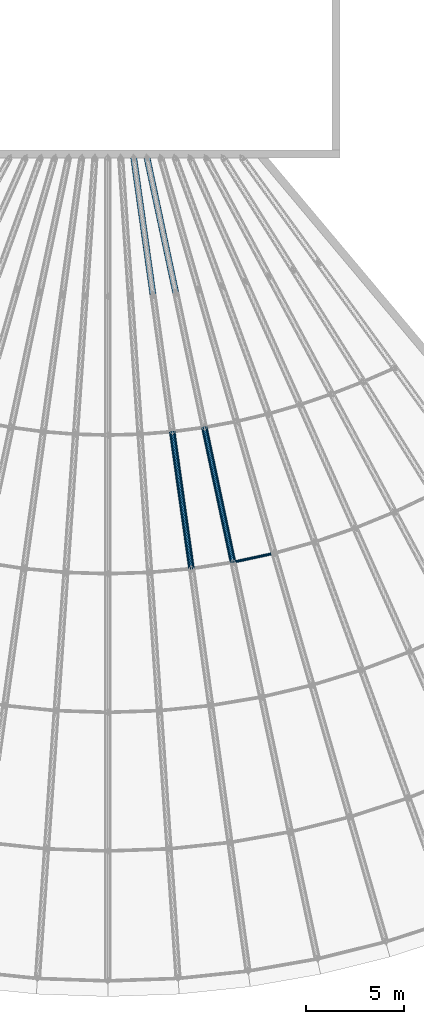
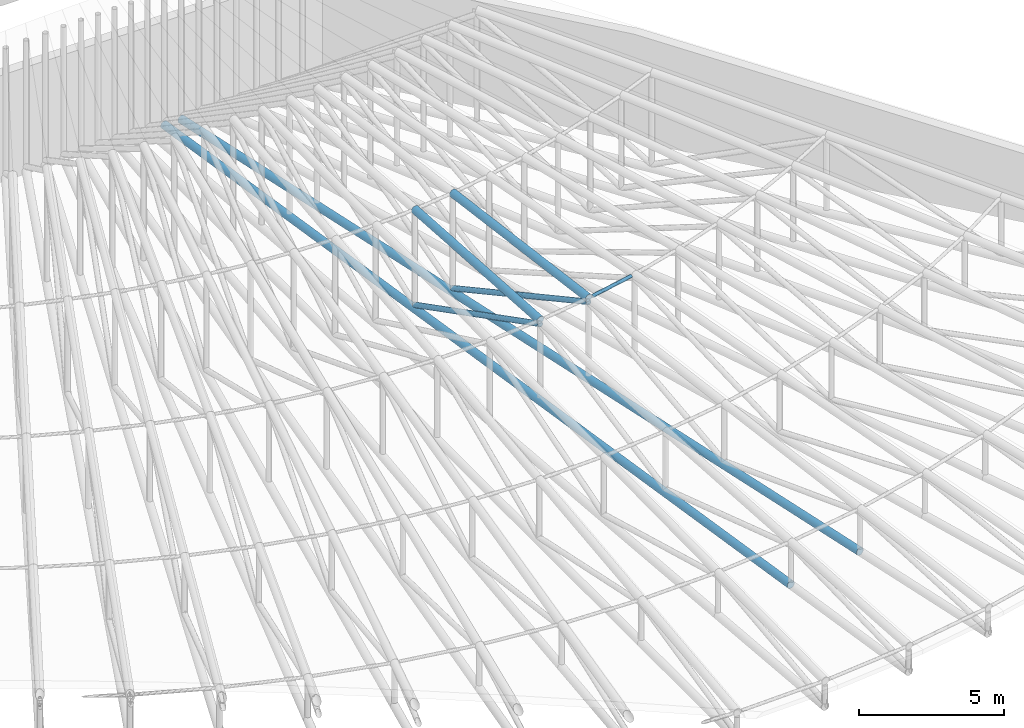
# One storey, part 36 of 163: 7 members.
"""IFC4 building model written with IfcOpenShell, lengths in metres."""

from ifc_helpers import new_model, si_unit, direction, frame, origin, origin_2d, place, context, subcontext, project, spatial, hollow_circle, extrude, material, material_profile, profile_set, type_object, element, save


model = new_model("IFC4")

# Units and contexts
model_context = context("Model", 3, precision=1e-05, world=origin(), true_north=direction((0.0, 1.0)))
body_context = subcontext(model_context, "Body", "Model", "MODEL_VIEW")
ifc_project = project(units=[si_unit("LENGTHUNIT", "METRE"), si_unit("AREAUNIT", "SQUARE_METRE"), si_unit("VOLUMEUNIT", "CUBIC_METRE"), si_unit("PLANEANGLEUNIT", "RADIAN"), si_unit("MASSUNIT", "GRAM", prefix="KILO")], contexts=[model_context])

# Site, building, storey
site_placement = place(None, origin())
site = spatial("IfcSite", under=ifc_project, at=site_placement, CompositionType="ELEMENT")
building_placement = place(site_placement, origin())
building = spatial("IfcBuilding", under=site, at=building_placement, Name="Rain Tree Exposition and Congress Centre", CompositionType="ELEMENT")
storey_placement = place(building_placement, frame((0.0, 0.0, 10.5)))
storey = spatial("IfcBuildingStorey", under=building, at=storey_placement, Name="L02", CompositionType="ELEMENT", Elevation=10.5)

# Members
ifc_material_1 = material(Name="Steel S355J2H", Category="steel")
ifc_material_profile_1 = material_profile(ifc_material_1, hollow_circle(Radius=0.108154296875, WallThickness=0.008056640625, at=origin_2d()), Name="CHS 216x8")
ifc_profile_set_1 = profile_set([ifc_material_profile_1], Name="Steel S355J2H")
member_type_1 = type_object("IfcMemberType", Name="Steel brace member CHS 216x8", PredefinedType="BRACE", material=ifc_profile_set_1)
member_1_placement = place(storey_placement, frame((205.85205078125, 36.9443359375, 3.390869140625), z_axis=(-0.127481219917, 0.907272664053, -0.400755351344), x_axis=(-0.990272225731, -0.139143519239, 0.0)))
element("IfcMember", 1, at=member_1_placement, inside=storey, type_object=member_type_1, Name="TD12-4", PredefinedType="BRACE", context=body_context, shape_type="SweptSolid", body=[
    extrude(hollow_circle(Radius=0.108154296875, WallThickness=0.008056640625, at=origin_2d()), origin(), (0.0, 0.0, 1.0), 7.666259765625),
])
member_2_placement = place(storey_placement, frame((207.962158203125, 37.268798828125, 3.385498046875), z_axis=(-0.190461609505, 0.895923488522, -0.401304719658), x_axis=(-0.978141562567, -0.207940096132, 0.0)))
element("IfcMember", 2, at=member_2_placement, inside=storey, type_object=member_type_1, Name="TD13-4", PredefinedType="BRACE", context=body_context, shape_type="SweptSolid", body=[
    extrude(hollow_circle(Radius=0.108154296875, WallThickness=0.008056640625, at=origin_2d()), origin(), (0.0, 0.0, 1.0), 7.642333984375),
])
ifc_material_2 = material(Name="Steel S355J2H", Category="steel")
ifc_material_profile_2 = material_profile(ifc_material_2, hollow_circle(Radius=0.1591796875, WallThickness=0.010009765625, at=origin_2d()), Name="CHS 318x10")
ifc_profile_set_2 = profile_set([ifc_material_profile_2], Name="Steel S355J2H")
member_type_2 = type_object("IfcMemberType", Name="Steel chord member CHS 318x10", PredefinedType="CHORD", material=ifc_profile_set_2)
member_3_placement = place(storey_placement, frame((207.80712890625, 23.033935546875, 0.1591796875), z_axis=(-0.139172704751, 0.990268124425, 0.0), x_axis=(-0.990268124425, -0.139172704751, 0.0)))
element("IfcMember", 3, at=member_3_placement, inside=storey, type_object=member_type_2, Name="TC12-2", PredefinedType="CHORD", context=body_context, shape_type="SweptSolid", body=[
    extrude(hollow_circle(Radius=0.1591796875, WallThickness=0.010009765625, at=origin_2d()), origin(), (0.0, 0.0, 1.0), 35.117919921875),
])
member_4_placement = place(storey_placement, frame((205.85205078125, 36.9443359375, 3.5517578125), z_axis=(-0.138271537545, 0.98406640847, 0.111777840493), x_axis=(-0.990272225731, -0.139143519239, 0.0)))
element("IfcMember", 4, at=member_4_placement, inside=storey, type_object=member_type_2, Name="TT12-4", PredefinedType="CHORD", context=body_context, shape_type="SweptSolid", body=[
    extrude(hollow_circle(Radius=0.1591796875, WallThickness=0.010009765625, at=origin_2d()), origin(), (0.0, 0.0, 1.0), 7.06787109375),
])
member_5_placement = place(storey_placement, frame((210.872802734375, 23.57470703125, 0.1591796875), z_axis=(-0.207909144531, 0.97814814196, 0.0), x_axis=(-0.97814814196, -0.207909144531, 0.0)))
element("IfcMember", 5, at=member_5_placement, inside=storey, type_object=member_type_2, Name="TC13-2", PredefinedType="CHORD", context=body_context, shape_type="SweptSolid", body=[
    extrude(hollow_circle(Radius=0.1591796875, WallThickness=0.010009765625, at=origin_2d()), origin(), (0.0, 0.0, 1.0), 35.000244140625),
])
member_6_placement = place(storey_placement, frame((207.962158203125, 37.268798828125, 3.54638671875), z_axis=(-0.206636239815, 0.97200827669, 0.111809545395), x_axis=(-0.978141562567, -0.207940096132, 0.0)))
element("IfcMember", 6, at=member_6_placement, inside=storey, type_object=member_type_2, Name="TT13-4", PredefinedType="CHORD", context=body_context, shape_type="SweptSolid", body=[
    extrude(hollow_circle(Radius=0.1591796875, WallThickness=0.010009765625, at=origin_2d()), origin(), (0.0, 0.0, 1.0), 7.044189453125),
])
ifc_material_3 = material(Name="Steel S355J2H", Category="steel")
ifc_material_profile_3 = material_profile(ifc_material_3, hollow_circle(Radius=0.06982421875, WallThickness=0.0048828125, at=origin_2d()), Name="CHS 140x5")
ifc_profile_set_3 = profile_set([ifc_material_profile_3], Name="Steel S355J2H")
member_type_3 = type_object("IfcMemberType", Name="Steel purlin member CHS 140x5", PredefinedType="PURLIN", material=ifc_profile_set_3)
member_7_placement = place(storey_placement, frame((208.117919921875, 37.302490234375, 3.5458984375), z_axis=(0.977435915461, 0.211203397839, -0.003486532282), x_axis=(-0.211204681536, 0.977441856326, 0.0)))
element("IfcMember", 7, at=member_7_placement, inside=storey, type_object=member_type_3, Name="PU13-3", PredefinedType="PURLIN", context=body_context, shape_type="SweptSolid", body=[
    extrude(hollow_circle(Radius=0.06982421875, WallThickness=0.0048828125, at=origin_2d()), origin(), (0.0, 0.0, 1.0), 1.820556640625),
])

save(model, "model.ifc")
